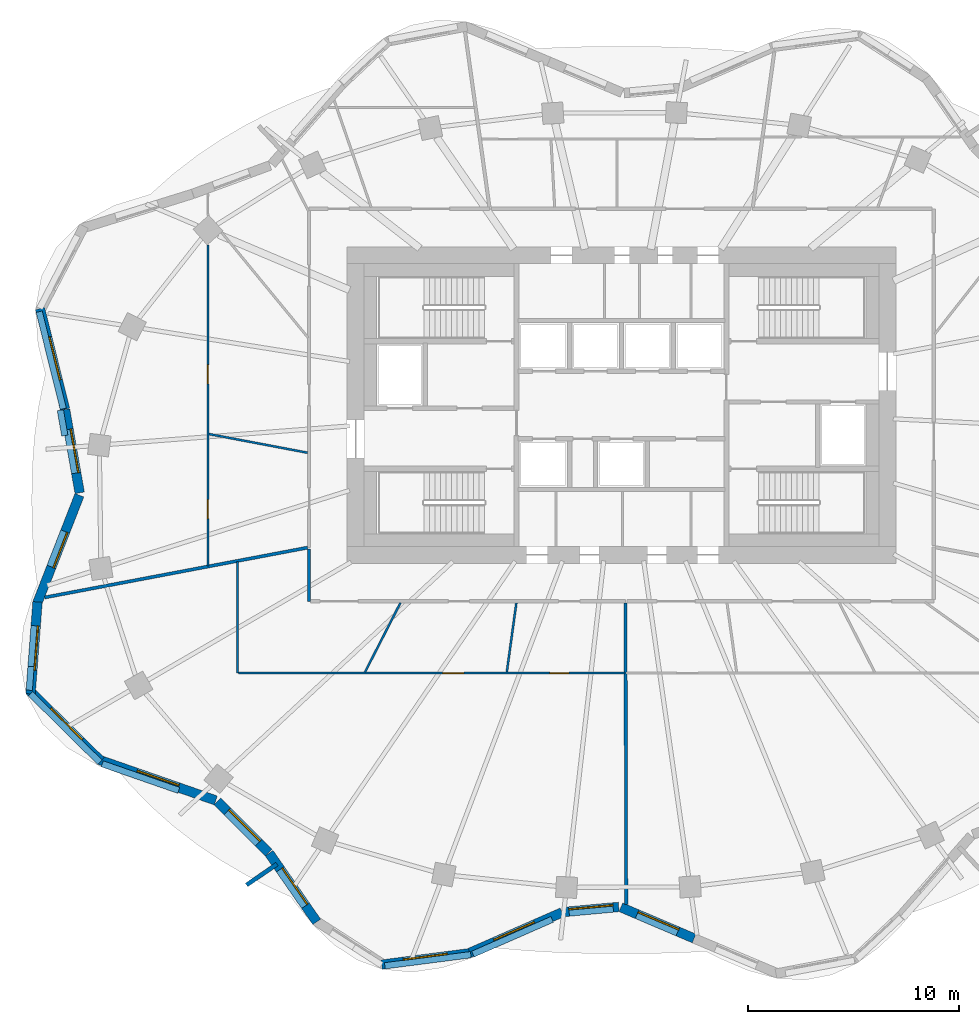
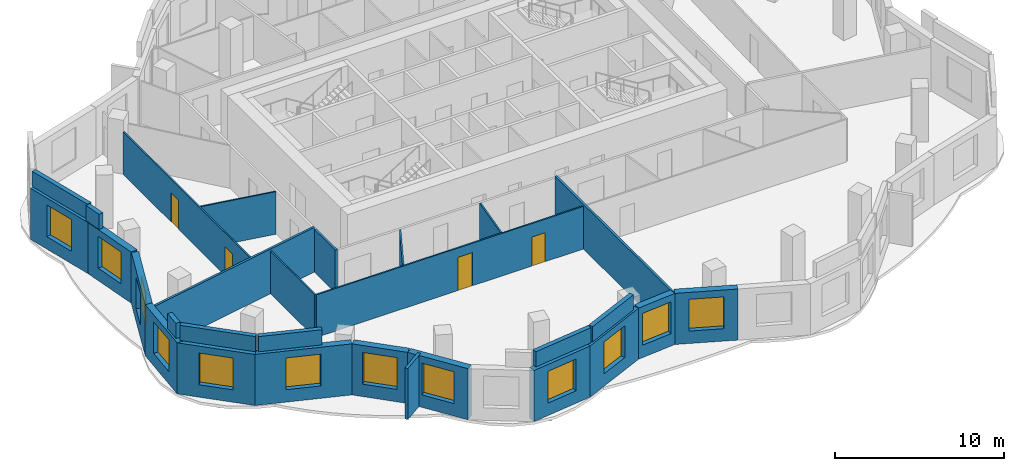
# One storey, part 3 of 9: 29 walls, 12 windows, 4 doors, 16 openings.
"""IFC4 building model written with IfcOpenShell, lengths in metres."""

import ifcopenshell
import ifcopenshell.guid

model = None  # the IFC model being written
_history = None  # IfcOwnerHistory: only IFC2X3 demands one
_inside = {}  # id of a spatial element -> (the spatial element, [elements in it])
_under = {}  # id of a project, library or spatial element -> (it, [spatial elements below it])
_declared = {}  # id of a project -> (the project, [libraries it declares])
_typed = {}  # id of a type object -> (the type object, [elements of that type])
_made_of = {}  # id of a material, layer set ... -> (it, [elements and type objects made of it])


def new_model(schema):
    """Start an empty IFC model of exactly this schema.

    Asked for "IFC4X3", IfcOpenShell would pick the latest addendum, in which some entities
    have other attributes; the version numbers below select the first issue.
    IFC2X3 requires an IfcOwnerHistory on every rooted entity: one is made here for all.
    """
    global model, _history
    if schema == "IFC4X3":
        model = ifcopenshell.file(schema_version=(4, 3, 0, 0))
    else:
        model = ifcopenshell.file(schema=schema)
    _inside.clear()
    _under.clear()
    _declared.clear()
    _typed.clear()
    _made_of.clear()
    _history = None
    if model.schema == "IFC2X3":
        org = make("IfcOrganization", Name="unknown")
        user = make(
            "IfcPersonAndOrganization",
            ThePerson=make("IfcPerson", FamilyName="unknown"),
            TheOrganization=org,
        )
        app = make(
            "IfcApplication",
            ApplicationDeveloper=org,
            Version="unknown",
            ApplicationFullName="unknown",
            ApplicationIdentifier="unknown",
        )
        _history = make(
            "IfcOwnerHistory",
            OwningUser=user,
            OwningApplication=app,
            ChangeAction="ADDED",
            CreationDate=0,
        )
    return model


def make(cls, **values):
    """One entity of the class cls with the attributes given. An attribute that is None is left unset."""
    return model.create_entity(
        cls, **{name: value for name, value in values.items() if value is not None}
    )


def rooted(cls, **values):
    """An entity with a GlobalId (a new one), such as an element, a storey or a relation."""
    return make(cls, GlobalId=ifcopenshell.guid.new(), OwnerHistory=_history, **values)


def si_unit(unit_type, name, prefix=None):
    """IfcSIUnit, for example si_unit("LENGTHUNIT", "METRE", prefix="MILLI")."""
    return make("IfcSIUnit", UnitType=unit_type, Prefix=prefix, Name=name)


def assignment(units):
    """IfcUnitAssignment: the units of a project."""
    return None if units is None else make("IfcUnitAssignment", Units=units)


def point(xyz):
    """IfcCartesianPoint."""
    return None if xyz is None else make("IfcCartesianPoint", Coordinates=xyz)


def direction(xyz):
    """IfcDirection."""
    return None if xyz is None else make("IfcDirection", DirectionRatios=xyz)


def frame(location, z_axis=None, x_axis=None):
    """IfcAxis2Placement3D, a coordinate frame: its origin and axes. An axis left out is left unset."""
    return make(
        "IfcAxis2Placement3D",
        Location=point(location),
        Axis=direction(z_axis),
        RefDirection=direction(x_axis),
    )


def frame_2d(location, x_axis=None):
    """IfcAxis2Placement2D, a coordinate frame in the plane: its origin and x axis."""
    return make(
        "IfcAxis2Placement2D", Location=point(location), RefDirection=direction(x_axis)
    )


def origin():
    """The frame at (0, 0, 0) with its axes left unset."""
    return frame((0.0, 0.0, 0.0))


def place(relative_to, where):
    """IfcLocalPlacement: puts the frame where relative to a parent placement (None: the world)."""
    return make(
        "IfcLocalPlacement", PlacementRelTo=relative_to, RelativePlacement=where
    )


def context(
    kind, dimensions, precision=None, world=None, true_north=None, identifier=None
):
    """IfcGeometricRepresentationContext, for example the 3D "Model" context."""
    return make(
        "IfcGeometricRepresentationContext",
        ContextIdentifier=identifier,
        ContextType=kind,
        CoordinateSpaceDimension=dimensions,
        Precision=precision,
        WorldCoordinateSystem=world,
        TrueNorth=true_north,
    )


def subcontext(parent, identifier, kind, view, scale=None):
    """IfcGeometricRepresentationSubContext, for example "Body" below "Model"."""
    return make(
        "IfcGeometricRepresentationSubContext",
        ContextIdentifier=identifier,
        ContextType=kind,
        ParentContext=parent,
        TargetScale=scale,
        TargetView=view,
    )


def project(units=None, contexts=None):
    """IfcProject with its units and contexts."""
    return rooted(
        "IfcProject",
        Name="project",
        RepresentationContexts=contexts,
        UnitsInContext=assignment(units),
    )


def spatial(cls, under=None, at=None, **own):
    """A site, building, storey or space (cls), placed at a placement, below another one or the project."""
    s = rooted(cls, ObjectPlacement=at, **own)
    if under is not None:
        _under.setdefault(under.id(), (under, []))[1].append(s)
    return s


def profile(cls, at=None, kind="AREA", **sizes):
    """A parametric profile (cls). Its sizes go by their IFC names, for example OverallWidth=200.0."""
    return make(cls, ProfileType=kind, Position=at, **sizes)


def rectangle(**sizes):
    """IfcRectangleProfileDef."""
    return profile("IfcRectangleProfileDef", **sizes)


def extrude(swept, where, along, depth):
    """IfcExtrudedAreaSolid: the profile swept, set in the frame where, extruded along a direction by depth."""
    return make(
        "IfcExtrudedAreaSolid",
        SweptArea=swept,
        Position=where,
        ExtrudedDirection=direction(along),
        Depth=depth,
    )


def shape(context_of_items, identifier, shape_type, items):
    """IfcShapeRepresentation: the items that make up one representation, for example the "Body"."""
    return make(
        "IfcShapeRepresentation",
        ContextOfItems=context_of_items,
        RepresentationIdentifier=identifier,
        RepresentationType=shape_type,
        Items=items,
    )


def material(Name=None, Category=None):
    """IfcMaterial."""
    return make("IfcMaterial", Name=Name, Category=Category)


def layer(
    of_material, thickness, ventilated=None, Name=None, Category=None, Priority=None
):
    """IfcMaterialLayer: one layer of a wall or slab, of a material (None: an air gap)."""
    return make(
        "IfcMaterialLayer",
        Material=of_material,
        LayerThickness=thickness,
        IsVentilated=ventilated,
        Name=Name,
        Category=Category,
        Priority=Priority,
    )


def layer_set(layers, Name=None):
    """IfcMaterialLayerSet."""
    return make("IfcMaterialLayerSet", MaterialLayers=layers, LayerSetName=Name)


def made_of(thing, what):
    """Note that an element or type object is made of a material, layer set ...; save() writes the relation."""
    if what is not None:
        _made_of.setdefault(what.id(), (what, []))[1].append(thing)
    return thing


def type_object(cls, material=None, **own):
    """A type object (cls), such as IfcWallType, which elements share."""
    return made_of(rooted(cls, **own), material)


def element(
    cls,
    number,
    at=None,
    inside=None,
    cuts=None,
    type_object=None,
    material=None,
    context=None,
    identifier="Body",
    shape_type=None,
    held_by="IfcProductDefinitionShape",
    body=None,
    shapes=None,
    **own,
):
    """One element of the class cls, such as IfcWall. Its Tag is "e" and its number.

    at: its placement. inside: the storey or other place that contains it. cuts: it is an
    opening in that element (IfcRelVoidsElement). A single representation is given by context,
    identifier, shape_type and body (its items); several are given by shapes. held_by: the class
    of the entity that holds the representations. save() writes the other relations.
    """
    e = rooted(cls, Tag="e%d" % number, ObjectPlacement=at, **own)
    if body is not None:
        shapes = [shape(context, identifier, shape_type, body)]
    if shapes is not None:
        e.Representation = make(held_by, Representations=shapes)
    if inside is not None:
        _inside.setdefault(inside.id(), (inside, []))[1].append(e)
    if cuts is not None:
        rooted(
            "IfcRelVoidsElement", RelatingBuildingElement=cuts, RelatedOpeningElement=e
        )
    if type_object is not None:
        _typed.setdefault(type_object.id(), (type_object, []))[1].append(e)
    return made_of(e, material)


def fill(opening, filler):
    """IfcRelFillsElement: the door or window that sits in an opening."""
    return rooted(
        "IfcRelFillsElement",
        RelatingOpeningElement=opening,
        RelatedBuildingElement=filler,
    )


def aggregate(whole, parts):
    """IfcRelAggregates: a whole, such as a stair, and the parts it consists of."""
    return rooted("IfcRelAggregates", RelatingObject=whole, RelatedObjects=parts)


def save(model, path):
    """Write the relations noted so far, then the file.

    IfcRelAggregates (storeys below a building ...), IfcRelContainedInSpatialStructure (elements
    in a storey), IfcRelDefinesByType, IfcRelAssociatesMaterial and IfcRelDeclares: one each for
    every whole, place, type object, material and project.
    """
    for whole, parts in _under.values():
        aggregate(whole, parts)
    for where, things in _inside.values():
        rooted(
            "IfcRelContainedInSpatialStructure",
            RelatedElements=things,
            RelatingStructure=where,
        )
    for kind, things in _typed.values():
        rooted("IfcRelDefinesByType", RelatedObjects=things, RelatingType=kind)
    for what, things in _made_of.values():
        rooted("IfcRelAssociatesMaterial", RelatedObjects=things, RelatingMaterial=what)
    for by, libraries in _declared.values():
        rooted("IfcRelDeclares", RelatingContext=by, RelatedDefinitions=libraries)
    model.write(path)


model = new_model("IFC4")

# Units and contexts
model_context = context("Model", 3, precision=1e-05, world=origin(), true_north=direction((0.0, 1.0)))
body_context = subcontext(model_context, "Body", "Model", "MODEL_VIEW")
ifc_project = project(units=[si_unit("LENGTHUNIT", "METRE"), si_unit("AREAUNIT", "SQUARE_METRE"), si_unit("VOLUMEUNIT", "CUBIC_METRE"), si_unit("PLANEANGLEUNIT", "RADIAN"), si_unit("MASSUNIT", "GRAM", prefix="KILO")], contexts=[model_context])

# Site, building, storey
site_placement = place(None, origin())
site = spatial("IfcSite", under=ifc_project, at=site_placement, CompositionType="ELEMENT")
building_placement = place(site_placement, origin())
building = spatial("IfcBuilding", under=site, at=building_placement, Name="Rubra Terraces Tower", CompositionType="ELEMENT")
storey_placement = place(building_placement, frame((0.0, 0.0, 221.39990234375)))
storey = spatial("IfcBuildingStorey", under=building, at=storey_placement, Name="L54", CompositionType="ELEMENT", Elevation=221.39990234375)

# Wall, opening, window
ifc_material_1 = material(Name="Brick masonry red-brown", Category="masonry")
ifc_layer_1 = layer(ifc_material_1, 0.449951171875)
ifc_layer_set_1 = layer_set([ifc_layer_1], Name="Brick masonry red-brown")
wall_type_1 = type_object("IfcWallType", Name="Brick facade wall 450", PredefinedType="SOLIDWALL", material=ifc_layer_set_1)
wall_1_placement = place(storey_placement, frame((-27.552001953125, 9.07177734375, 0.0), z_axis=(0.0, 0.0, 1.0), x_axis=(0.240629941406, -0.970616933347, 0.0)))
wall_1 = element("IfcWall", 1, at=wall_1_placement, inside=storey, type_object=wall_type_1, Name="Facade wall L54 bay 19", PredefinedType="SOLIDWALL", context=body_context, shape_type="SweptSolid", body=[
    extrude(rectangle(XDim=4.91455078125, YDim=0.449951171875, at=frame_2d((2.457275390625, 0.0))), origin(), (0.0, 0.0, 1.0), 3.7001953125),
])
opening_1_placement = place(wall_1_placement, frame((1.407470703125, 0.0, 0.89990234375)))
opening_1 = element("IfcOpeningElement", 2, at=opening_1_placement, cuts=wall_1, Name="Opening W1B", PredefinedType="OPENING", context=body_context, shape_type="SweptSolid", body=[
    extrude(rectangle(XDim=2.10009765625, YDim=2.300048828125, at=frame_2d((1.050048828125, 1.14990234375))), frame((0.0, 0.23486328125, 0.0), z_axis=(0.0, -1.0, 0.0), x_axis=(1.0, 0.0, 0.0)), (0.0, 0.0, 1.0), 0.469970703125),
])
ifc_material_2 = material(Name="Clear glass in aluminium frame", Category="aluminium")
window_type_1 = type_object("IfcWindowType", Name="Fixed deep-set window tall storey 2100 x 2300", PartitioningType="SINGLE_PANEL", PredefinedType="WINDOW", material=ifc_material_2)
window_1_placement = place(opening_1_placement, origin())
window_1 = element("IfcWindow", 3, at=window_1_placement, inside=storey, type_object=window_type_1, Name="Window L54 bay 19", OverallHeight=2.300048828125, OverallWidth=2.10009765625, PartitioningType="SINGLE_PANEL", PredefinedType="WINDOW", context=body_context, shape_type="SweptSolid", body=[
    extrude(rectangle(XDim=2.10009765625, YDim=2.300048828125, at=frame_2d((1.050048828125, 1.14990234375))), frame((0.0, 0.135009765625, 0.0), z_axis=(0.0, -1.0, 0.0), x_axis=(1.0, 0.0, 0.0)), (0.0, 0.0, 1.0), 0.06005859375),
])
fill(opening_1, window_1)

wall_2_placement = place(storey_placement, frame((-26.3662109375, 4.28466796875, 0.0), z_axis=(0.0, 0.0, 1.0), x_axis=(0.172902168926, -0.984939003178, 0.0)))
wall_2 = element("IfcWall", 4, at=wall_2_placement, inside=storey, type_object=wall_type_1, Name="Facade wall L54 bay 20", PredefinedType="SOLIDWALL", context=body_context, shape_type="SweptSolid", body=[
    extrude(rectangle(XDim=4.005859375, YDim=0.449951171875, at=frame_2d((2.0029296875, 0.0))), origin(), (0.0, 0.0, 1.0), 3.7001953125),
])
opening_2_placement = place(wall_2_placement, frame((0.952880859375, 0.0, 0.89990234375)))
opening_2 = element("IfcOpeningElement", 5, at=opening_2_placement, cuts=wall_2, Name="Opening W1B", PredefinedType="OPENING", context=body_context, shape_type="SweptSolid", body=[
    extrude(rectangle(XDim=2.10009765625, YDim=2.300048828125, at=frame_2d((1.050048828125, 1.14990234375))), frame((0.0, 0.23486328125, 0.0), z_axis=(0.0, -1.0, 0.0), x_axis=(1.0, 0.0, 0.0)), (0.0, 0.0, 1.0), 0.469970703125),
])
window_2_placement = place(opening_2_placement, origin())
window_2 = element("IfcWindow", 6, at=window_2_placement, inside=storey, type_object=window_type_1, Name="Window L54 bay 20", OverallHeight=2.300048828125, OverallWidth=2.10009765625, PartitioningType="SINGLE_PANEL", PredefinedType="WINDOW", context=body_context, shape_type="SweptSolid", body=[
    extrude(rectangle(XDim=2.10009765625, YDim=2.300048828125, at=frame_2d((1.050048828125, 1.14990234375))), frame((0.0, 0.135009765625, 0.0), z_axis=(0.0, -1.0, 0.0), x_axis=(1.0, 0.0, 0.0)), (0.0, 0.0, 1.0), 0.06005859375),
])
fill(opening_2, window_2)

wall_3_placement = place(storey_placement, frame((-25.68701171875, 0.226318359375, 0.0), z_axis=(0.0, 0.0, 1.0), x_axis=(-0.363500194409, -0.931594122279, 0.0)))
wall_3 = element("IfcWall", 7, at=wall_3_placement, inside=storey, type_object=wall_type_1, Name="Facade wall L54 bay 21", PredefinedType="SOLIDWALL", context=body_context, shape_type="SweptSolid", body=[
    extrude(rectangle(XDim=5.498779296875, YDim=0.449951171875, at=frame_2d((2.74951171875, 0.0))), origin(), (0.0, 0.0, 1.0), 3.7001953125),
])
opening_3_placement = place(wall_3_placement, frame((1.849365234375, 0.0, 0.89990234375)))
opening_3 = element("IfcOpeningElement", 8, at=opening_3_placement, cuts=wall_3, Name="Opening W6B", PredefinedType="OPENING", context=body_context, shape_type="SweptSolid", body=[
    extrude(rectangle(XDim=1.800048828125, YDim=2.300048828125, at=frame_2d((0.89990234375, 1.14990234375))), frame((0.0, 0.23486328125, 0.0), z_axis=(0.0, -1.0, 0.0), x_axis=(1.0, 0.0, 0.0)), (0.0, 0.0, 1.0), 0.469970703125),
])
window_type_2 = type_object("IfcWindowType", Name="Fixed deep-set window at wind fin tall storey 1800 x 2300", PartitioningType="SINGLE_PANEL", PredefinedType="WINDOW", material=ifc_material_2)
window_3_placement = place(opening_3_placement, origin())
window_3 = element("IfcWindow", 9, at=window_3_placement, inside=storey, type_object=window_type_2, Name="Window L54 bay 21", OverallHeight=2.300048828125, OverallWidth=1.800048828125, PartitioningType="SINGLE_PANEL", PredefinedType="WINDOW", context=body_context, shape_type="SweptSolid", body=[
    extrude(rectangle(XDim=1.800048828125, YDim=2.300048828125, at=frame_2d((0.89990234375, 1.14990234375))), frame((0.0, 0.135009765625, 0.0), z_axis=(0.0, -1.0, 0.0), x_axis=(1.0, 0.0, 0.0)), (0.0, 0.0, 1.0), 0.06005859375),
])
fill(opening_3, window_3)

wall_4_placement = place(storey_placement, frame((-27.671142578125, -4.831298828125, 0.0), z_axis=(0.0, 0.0, 1.0), x_axis=(-0.075658122047, -0.997133816781, 0.0)))
wall_4 = element("IfcWall", 10, at=wall_4_placement, inside=storey, type_object=wall_type_1, Name="Facade wall L54 bay 22", PredefinedType="SOLIDWALL", context=body_context, shape_type="SweptSolid", body=[
    extrude(rectangle(XDim=4.369140625, YDim=0.449951171875, at=frame_2d((2.1845703125, 0.0))), origin(), (0.0, 0.0, 1.0), 3.7001953125),
])
opening_4_placement = place(wall_4_placement, frame((1.134521484375, 0.0, 0.89990234375)))
opening_4 = element("IfcOpeningElement", 11, at=opening_4_placement, cuts=wall_4, Name="Opening W1B", PredefinedType="OPENING", context=body_context, shape_type="SweptSolid", body=[
    extrude(rectangle(XDim=2.10009765625, YDim=2.300048828125, at=frame_2d((1.050048828125, 1.14990234375))), frame((0.0, 0.23486328125, 0.0), z_axis=(0.0, -1.0, 0.0), x_axis=(1.0, 0.0, 0.0)), (0.0, 0.0, 1.0), 0.469970703125),
])
window_4_placement = place(opening_4_placement, origin())
window_4 = element("IfcWindow", 12, at=window_4_placement, inside=storey, type_object=window_type_1, Name="Window L54 bay 22", OverallHeight=2.300048828125, OverallWidth=2.10009765625, PartitioningType="SINGLE_PANEL", PredefinedType="WINDOW", context=body_context, shape_type="SweptSolid", body=[
    extrude(rectangle(XDim=2.10009765625, YDim=2.300048828125, at=frame_2d((1.050048828125, 1.14990234375))), frame((0.0, 0.135009765625, 0.0), z_axis=(0.0, -1.0, 0.0), x_axis=(1.0, 0.0, 0.0)), (0.0, 0.0, 1.0), 0.06005859375),
])
fill(opening_4, window_4)

wall_5_placement = place(storey_placement, frame((-28.06787109375, -9.010986328125, 0.0), z_axis=(0.0, 0.0, 1.0), x_axis=(0.711293453435, -0.702895172199, 0.0)))
wall_5 = element("IfcWall", 13, at=wall_5_placement, inside=storey, type_object=wall_type_1, Name="Facade wall L54 bay 23", PredefinedType="SOLIDWALL", context=body_context, shape_type="SweptSolid", body=[
    extrude(rectangle(XDim=4.767578125, YDim=0.449951171875, at=frame_2d((2.3837890625, 0.0))), origin(), (0.0, 0.0, 1.0), 3.7001953125),
])
opening_5_placement = place(wall_5_placement, frame((1.333740234375, 0.0, 0.89990234375)))
opening_5 = element("IfcOpeningElement", 14, at=opening_5_placement, cuts=wall_5, Name="Opening W1B", PredefinedType="OPENING", context=body_context, shape_type="SweptSolid", body=[
    extrude(rectangle(XDim=2.10009765625, YDim=2.300048828125, at=frame_2d((1.050048828125, 1.14990234375))), frame((0.0, 0.23486328125, 0.0), z_axis=(0.0, -1.0, 0.0), x_axis=(1.0, 0.0, 0.0)), (0.0, 0.0, 1.0), 0.469970703125),
])
window_5_placement = place(opening_5_placement, origin())
window_5 = element("IfcWindow", 15, at=window_5_placement, inside=storey, type_object=window_type_1, Name="Window L54 bay 23", OverallHeight=2.300048828125, OverallWidth=2.10009765625, PartitioningType="SINGLE_PANEL", PredefinedType="WINDOW", context=body_context, shape_type="SweptSolid", body=[
    extrude(rectangle(XDim=2.10009765625, YDim=2.300048828125, at=frame_2d((1.050048828125, 1.14990234375))), frame((0.0, 0.135009765625, 0.0), z_axis=(0.0, -1.0, 0.0), x_axis=(1.0, 0.0, 0.0)), (0.0, 0.0, 1.0), 0.06005859375),
])
fill(opening_5, window_5)

wall_6_placement = place(storey_placement, frame((-24.760986328125, -12.309814453125, 0.0), z_axis=(0.0, 0.0, 1.0), x_axis=(0.944397305248, -0.328806523414, 0.0)))
wall_6 = element("IfcWall", 16, at=wall_6_placement, inside=storey, type_object=wall_type_1, Name="Facade wall L54 bay 24", PredefinedType="SOLIDWALL", context=body_context, shape_type="SweptSolid", body=[
    extrude(rectangle(XDim=5.862060546875, YDim=0.449951171875, at=frame_2d((2.93115234375, 0.0))), origin(), (0.0, 0.0, 1.0), 3.7001953125),
])
opening_6_placement = place(wall_6_placement, frame((1.881103515625, 0.0, 0.89990234375)))
opening_6 = element("IfcOpeningElement", 17, at=opening_6_placement, cuts=wall_6, Name="Opening W1B", PredefinedType="OPENING", context=body_context, shape_type="SweptSolid", body=[
    extrude(rectangle(XDim=2.10009765625, YDim=2.300048828125, at=frame_2d((1.050048828125, 1.14990234375))), frame((0.0, 0.23486328125, 0.0), z_axis=(0.0, -1.0, 0.0), x_axis=(1.0, 0.0, 0.0)), (0.0, 0.0, 1.0), 0.469970703125),
])
window_6_placement = place(opening_6_placement, origin())
window_6 = element("IfcWindow", 18, at=window_6_placement, inside=storey, type_object=window_type_1, Name="Window L54 bay 24", OverallHeight=2.300048828125, OverallWidth=2.10009765625, PartitioningType="SINGLE_PANEL", PredefinedType="WINDOW", context=body_context, shape_type="SweptSolid", body=[
    extrude(rectangle(XDim=2.10009765625, YDim=2.300048828125, at=frame_2d((1.050048828125, 1.14990234375))), frame((0.0, 0.135009765625, 0.0), z_axis=(0.0, -1.0, 0.0), x_axis=(1.0, 0.0, 0.0)), (0.0, 0.0, 1.0), 0.06005859375),
])
fill(opening_6, window_6)

wall_7_placement = place(storey_placement, frame((-19.145263671875, -14.285400390625, 0.0), z_axis=(0.0, 0.0, 1.0), x_axis=(0.707427521052, -0.706785895769, 0.0)))
wall_7 = element("IfcWall", 19, at=wall_7_placement, inside=storey, type_object=wall_type_1, Name="Facade wall L54 bay 25", PredefinedType="SOLIDWALL", context=body_context, shape_type="SweptSolid", body=[
    extrude(rectangle(XDim=3.424560546875, YDim=0.449951171875, at=frame_2d((1.71240234375, 0.0))), origin(), (0.0, 0.0, 1.0), 3.7001953125),
])
opening_7_placement = place(wall_7_placement, frame((0.662353515625, 0.0, 0.89990234375)))
opening_7 = element("IfcOpeningElement", 20, at=opening_7_placement, cuts=wall_7, Name="Opening W1B", PredefinedType="OPENING", context=body_context, shape_type="SweptSolid", body=[
    extrude(rectangle(XDim=2.10009765625, YDim=2.300048828125, at=frame_2d((1.050048828125, 1.14990234375))), frame((0.0, 0.23486328125, 0.0), z_axis=(0.0, -1.0, 0.0), x_axis=(1.0, 0.0, 0.0)), (0.0, 0.0, 1.0), 0.469970703125),
])
window_7_placement = place(opening_7_placement, origin())
window_7 = element("IfcWindow", 21, at=window_7_placement, inside=storey, type_object=window_type_1, Name="Window L54 bay 25", OverallHeight=2.300048828125, OverallWidth=2.10009765625, PartitioningType="SINGLE_PANEL", PredefinedType="WINDOW", context=body_context, shape_type="SweptSolid", body=[
    extrude(rectangle(XDim=2.10009765625, YDim=2.300048828125, at=frame_2d((1.050048828125, 1.14990234375))), frame((0.0, 0.135009765625, 0.0), z_axis=(0.0, -1.0, 0.0), x_axis=(1.0, 0.0, 0.0)), (0.0, 0.0, 1.0), 0.06005859375),
])
fill(opening_7, window_7)

wall_8_placement = place(storey_placement, frame((-16.695068359375, -16.73681640625, 0.0), z_axis=(0.0, 0.0, 1.0), x_axis=(0.569652445465, -0.821885692402, 0.0)))
wall_8 = element("IfcWall", 22, at=wall_8_placement, inside=storey, type_object=wall_type_1, Name="Facade wall L54 bay 26", PredefinedType="SOLIDWALL", context=body_context, shape_type="SweptSolid", body=[
    extrude(rectangle(XDim=3.958740234375, YDim=0.449951171875, at=frame_2d((1.9794921875, 0.0))), origin(), (0.0, 0.0, 1.0), 3.7001953125),
])
opening_8_placement = place(wall_8_placement, frame((0.929443359375, 0.0, 0.89990234375)))
opening_8 = element("IfcOpeningElement", 23, at=opening_8_placement, cuts=wall_8, Name="Opening W1B", PredefinedType="OPENING", context=body_context, shape_type="SweptSolid", body=[
    extrude(rectangle(XDim=2.10009765625, YDim=2.300048828125, at=frame_2d((1.050048828125, 1.14990234375))), frame((0.0, 0.23486328125, 0.0), z_axis=(0.0, -1.0, 0.0), x_axis=(1.0, 0.0, 0.0)), (0.0, 0.0, 1.0), 0.469970703125),
])
window_8_placement = place(opening_8_placement, origin())
window_8 = element("IfcWindow", 24, at=window_8_placement, inside=storey, type_object=window_type_1, Name="Window L54 bay 26", OverallHeight=2.300048828125, OverallWidth=2.10009765625, PartitioningType="SINGLE_PANEL", PredefinedType="WINDOW", context=body_context, shape_type="SweptSolid", body=[
    extrude(rectangle(XDim=2.10009765625, YDim=2.300048828125, at=frame_2d((1.050048828125, 1.14990234375))), frame((0.0, 0.135009765625, 0.0), z_axis=(0.0, -1.0, 0.0), x_axis=(1.0, 0.0, 0.0)), (0.0, 0.0, 1.0), 0.06005859375),
])
fill(opening_8, window_8)

wall_9_placement = place(storey_placement, frame((-11.36181640625, -22.017822265625, 0.0), z_axis=(0.0, 0.0, 1.0), x_axis=(0.991724958022, 0.128380713645, 0.0)))
wall_9 = element("IfcWall", 25, at=wall_9_placement, inside=storey, type_object=wall_type_1, Name="Facade wall L54 bay 28", PredefinedType="SOLIDWALL", context=body_context, shape_type="SweptSolid", body=[
    extrude(rectangle(XDim=4.181884765625, YDim=0.449951171875, at=frame_2d((2.0908203125, 0.0))), origin(), (0.0, 0.0, 1.0), 3.7001953125),
])
opening_9_placement = place(wall_9_placement, frame((1.041015625, 0.0, 0.89990234375)))
opening_9 = element("IfcOpeningElement", 26, at=opening_9_placement, cuts=wall_9, Name="Opening W1B", PredefinedType="OPENING", context=body_context, shape_type="SweptSolid", body=[
    extrude(rectangle(XDim=2.10009765625, YDim=2.300048828125, at=frame_2d((1.050048828125, 1.14990234375))), frame((0.0, 0.23486328125, 0.0), z_axis=(0.0, -1.0, 0.0), x_axis=(1.0, 0.0, 0.0)), (0.0, 0.0, 1.0), 0.469970703125),
])
window_9_placement = place(opening_9_placement, origin())
window_9 = element("IfcWindow", 27, at=window_9_placement, inside=storey, type_object=window_type_1, Name="Window L54 bay 28", OverallHeight=2.300048828125, OverallWidth=2.10009765625, PartitioningType="SINGLE_PANEL", PredefinedType="WINDOW", context=body_context, shape_type="SweptSolid", body=[
    extrude(rectangle(XDim=2.10009765625, YDim=2.300048828125, at=frame_2d((1.050048828125, 1.14990234375))), frame((0.0, 0.135009765625, 0.0), z_axis=(0.0, -1.0, 0.0), x_axis=(1.0, 0.0, 0.0)), (0.0, 0.0, 1.0), 0.06005859375),
])
fill(opening_9, window_9)

wall_10_placement = place(storey_placement, frame((-7.27587890625, -21.498046875, 0.0), z_axis=(0.0, 0.0, 1.0), x_axis=(0.915872941312, 0.401468249519, 0.0)))
wall_10 = element("IfcWall", 28, at=wall_10_placement, inside=storey, type_object=wall_type_1, Name="Facade wall L54 bay 29", PredefinedType="SOLIDWALL", context=body_context, shape_type="SweptSolid", body=[
    extrude(rectangle(XDim=4.870361328125, YDim=0.449951171875, at=frame_2d((2.43505859375, 0.0))), origin(), (0.0, 0.0, 1.0), 3.7001953125),
])
opening_10_placement = place(wall_10_placement, frame((1.38525390625, 0.0, 0.89990234375)))
opening_10 = element("IfcOpeningElement", 29, at=opening_10_placement, cuts=wall_10, Name="Opening W1B", PredefinedType="OPENING", context=body_context, shape_type="SweptSolid", body=[
    extrude(rectangle(XDim=2.10009765625, YDim=2.300048828125, at=frame_2d((1.050048828125, 1.14990234375))), frame((0.0, 0.23486328125, 0.0), z_axis=(0.0, -1.0, 0.0), x_axis=(1.0, 0.0, 0.0)), (0.0, 0.0, 1.0), 0.469970703125),
])
window_10_placement = place(opening_10_placement, origin())
window_10 = element("IfcWindow", 30, at=window_10_placement, inside=storey, type_object=window_type_1, Name="Window L54 bay 29", OverallHeight=2.300048828125, OverallWidth=2.10009765625, PartitioningType="SINGLE_PANEL", PredefinedType="WINDOW", context=body_context, shape_type="SweptSolid", body=[
    extrude(rectangle(XDim=2.10009765625, YDim=2.300048828125, at=frame_2d((1.050048828125, 1.14990234375))), frame((0.0, 0.135009765625, 0.0), z_axis=(0.0, -1.0, 0.0), x_axis=(1.0, 0.0, 0.0)), (0.0, 0.0, 1.0), 0.06005859375),
])
fill(opening_10, window_10)

wall_11_placement = place(storey_placement, frame((-2.745361328125, -19.52490234375, 0.0), z_axis=(0.0, 0.0, 1.0), x_axis=(0.995768774275, 0.091894222771, 0.0)))
wall_11 = element("IfcWall", 31, at=wall_11_placement, inside=storey, type_object=wall_type_1, Name="Facade wall L54 bay 30", PredefinedType="SOLIDWALL", context=body_context, shape_type="SweptSolid", body=[
    extrude(rectangle(XDim=2.624755859375, YDim=0.449951171875, at=frame_2d((1.3125, 0.0))), origin(), (0.0, 0.0, 1.0), 3.7001953125),
])
opening_11_placement = place(wall_11_placement, frame((0.262451171875, 0.0, 0.89990234375)))
opening_11 = element("IfcOpeningElement", 32, at=opening_11_placement, cuts=wall_11, Name="Opening W1B", PredefinedType="OPENING", context=body_context, shape_type="SweptSolid", body=[
    extrude(rectangle(XDim=2.10009765625, YDim=2.300048828125, at=frame_2d((1.050048828125, 1.14990234375))), frame((0.0, 0.23486328125, 0.0), z_axis=(0.0, -1.0, 0.0), x_axis=(1.0, 0.0, 0.0)), (0.0, 0.0, 1.0), 0.469970703125),
])
window_11_placement = place(opening_11_placement, origin())
window_11 = element("IfcWindow", 33, at=window_11_placement, inside=storey, type_object=window_type_1, Name="Window L54 bay 30", OverallHeight=2.300048828125, OverallWidth=2.10009765625, PartitioningType="SINGLE_PANEL", PredefinedType="WINDOW", context=body_context, shape_type="SweptSolid", body=[
    extrude(rectangle(XDim=2.10009765625, YDim=2.300048828125, at=frame_2d((1.050048828125, 1.14990234375))), frame((0.0, 0.135009765625, 0.0), z_axis=(0.0, -1.0, 0.0), x_axis=(1.0, 0.0, 0.0)), (0.0, 0.0, 1.0), 0.06005859375),
])
fill(opening_11, window_11)

wall_12_placement = place(storey_placement, frame((-0.0263671875, -19.29931640625, 0.0), z_axis=(0.0, 0.0, 1.0), x_axis=(0.920040408927, -0.391823488245, 0.0)))
wall_12 = element("IfcWall", 34, at=wall_12_placement, inside=storey, type_object=wall_type_1, Name="Facade wall L54 bay 31", PredefinedType="SOLIDWALL", context=body_context, shape_type="SweptSolid", body=[
    extrude(rectangle(XDim=3.769775390625, YDim=0.449951171875, at=frame_2d((1.884765625, 0.0))), origin(), (0.0, 0.0, 1.0), 3.7001953125),
])
opening_12_placement = place(wall_12_placement, frame((0.8349609375, 0.0, 0.89990234375)))
opening_12 = element("IfcOpeningElement", 35, at=opening_12_placement, cuts=wall_12, Name="Opening W1B", PredefinedType="OPENING", context=body_context, shape_type="SweptSolid", body=[
    extrude(rectangle(XDim=2.10009765625, YDim=2.300048828125, at=frame_2d((1.050048828125, 1.14990234375))), frame((0.0, 0.23486328125, 0.0), z_axis=(0.0, -1.0, 0.0), x_axis=(1.0, 0.0, 0.0)), (0.0, 0.0, 1.0), 0.469970703125),
])
window_12_placement = place(opening_12_placement, origin())
window_12 = element("IfcWindow", 36, at=window_12_placement, inside=storey, type_object=window_type_1, Name="Window L54 bay 31", OverallHeight=2.300048828125, OverallWidth=2.10009765625, PartitioningType="SINGLE_PANEL", PredefinedType="WINDOW", context=body_context, shape_type="SweptSolid", body=[
    extrude(rectangle(XDim=2.10009765625, YDim=2.300048828125, at=frame_2d((1.050048828125, 1.14990234375))), frame((0.0, 0.135009765625, 0.0), z_axis=(0.0, -1.0, 0.0), x_axis=(1.0, 0.0, 0.0)), (0.0, 0.0, 1.0), 0.06005859375),
])
fill(opening_12, window_12)

# Walls
ifc_layer_2 = layer(ifc_material_1, 0.300048828125)
ifc_layer_set_2 = layer_set([ifc_layer_2], Name="Brick masonry red-brown")
wall_type_2 = type_object("IfcWallType", Name="Brick parapet 300", PredefinedType="PARAPET", material=ifc_layer_set_2)
wall_13_placement = place(storey_placement, frame((-27.591796875, 8.9208984375, 3.900146484375), z_axis=(0.0, 0.0, 1.0), x_axis=(0.240669381496, -0.970607154729, 0.0)))
element("IfcWall", 37, at=wall_13_placement, inside=storey, type_object=wall_type_2, Name="Parapet L54 bay 19", PredefinedType="PARAPET", context=body_context, shape_type="SweptSolid", body=[
    extrude(rectangle(XDim=4.741455078125, YDim=0.300048828125, at=frame_2d((2.37060546875, 0.0))), origin(), (0.0, 0.0, 1.0), 1.099853515625),
])
wall_14_placement = place(storey_placement, frame((-26.589111328125, 4.253662109375, 3.900146484375), z_axis=(0.0, 0.0, 1.0), x_axis=(0.172857566704, -0.984946831881, 0.0)))
element("IfcWall", 38, at=wall_14_placement, inside=storey, type_object=wall_type_2, Name="Parapet L54 bay 20", PredefinedType="PARAPET", context=body_context, shape_type="SweptSolid", body=[
    extrude(rectangle(XDim=1.216064453125, YDim=0.300048828125, at=frame_2d((0.60791015625, 0.0))), origin(), (0.0, 0.0, 1.0), 1.099853515625),
])
wall_15_placement = place(storey_placement, frame((-27.978515625, -7.892333984375, 3.900146484375), z_axis=(0.0, 0.0, 1.0), x_axis=(-0.075750382553, -0.997126812167, 0.0)))
element("IfcWall", 39, at=wall_15_placement, inside=storey, type_object=wall_type_2, Name="Parapet L54 bay 22", PredefinedType="PARAPET", context=body_context, shape_type="SweptSolid", body=[
    extrude(rectangle(XDim=1.124755859375, YDim=0.300048828125, at=frame_2d((0.5625, 0.0))), origin(), (0.0, 0.0, 1.0), 1.099853515625),
])
wall_16_placement = place(storey_placement, frame((-28.00048828125, -9.18310546875, 3.900146484375), z_axis=(0.0, 0.0, 1.0), x_axis=(0.711291435321, -0.702897214419, 0.0)))
element("IfcWall", 40, at=wall_16_placement, inside=storey, type_object=wall_type_2, Name="Parapet L54 bay 23", PredefinedType="PARAPET", context=body_context, shape_type="SweptSolid", body=[
    extrude(rectangle(XDim=4.62451171875, YDim=0.300048828125, at=frame_2d((2.312255859375, 0.0))), origin(), (0.0, 0.0, 1.0), 1.099853515625),
])
wall_17_placement = place(storey_placement, frame((-24.605224609375, -12.49951171875, 3.900146484375), z_axis=(0.0, 0.0, 1.0), x_axis=(0.944373295981, -0.328875474668, 0.0)))
element("IfcWall", 41, at=wall_17_placement, inside=storey, type_object=wall_type_2, Name="Parapet L54 bay 24", PredefinedType="PARAPET", context=body_context, shape_type="SweptSolid", body=[
    extrude(rectangle(XDim=3.84228515625, YDim=0.300048828125, at=frame_2d((1.921142578125, 0.0))), origin(), (0.0, 0.0, 1.0), 1.099853515625),
])
wall_18_placement = place(storey_placement, frame((-11.2138671875, -22.07421875, 3.900146484375), z_axis=(0.0, 0.0, 1.0), x_axis=(0.991727449614, 0.128361464939, 0.0)))
element("IfcWall", 42, at=wall_18_placement, inside=storey, type_object=wall_type_2, Name="Parapet L54 bay 28", PredefinedType="PARAPET", context=body_context, shape_type="SweptSolid", body=[
    extrude(rectangle(XDim=4.110107421875, YDim=0.300048828125, at=frame_2d((2.05517578125, 0.0))), origin(), (0.0, 0.0, 1.0), 1.099853515625),
])
wall_19_placement = place(storey_placement, frame((-7.039306640625, -21.519287109375, 3.900146484375), z_axis=(0.0, 0.0, 1.0), x_axis=(0.915890739732, 0.401427643384, 0.0)))
element("IfcWall", 43, at=wall_19_placement, inside=storey, type_object=wall_type_2, Name="Parapet L54 bay 29", PredefinedType="PARAPET", context=body_context, shape_type="SweptSolid", body=[
    extrude(rectangle(XDim=4.1015625, YDim=0.300048828125, at=frame_2d((2.05078125, 0.0))), origin(), (0.0, 0.0, 1.0), 1.099853515625),
])
ifc_layer_3 = layer(ifc_material_1, 0.199951171875)
ifc_layer_set_3 = layer_set([ifc_layer_3], Name="Brick masonry red-brown")
wall_type_3 = type_object("IfcWallType", Name="Brick wind fin 200", PredefinedType="SOLIDWALL", material=ifc_layer_set_3)
wall_20_placement = place(storey_placement, frame((-16.322021484375, -17.2529296875, 0.0), z_axis=(0.0, 0.0, 1.0), x_axis=(-0.824440606412, -0.565948483962, 0.0)))
element("IfcWall", 44, at=wall_20_placement, inside=storey, type_object=wall_type_3, Name="Wind fin L54 16", PredefinedType="SOLIDWALL", context=body_context, shape_type="SweptSolid", body=[
    extrude(rectangle(XDim=1.75, YDim=0.199951171875, at=frame_2d((0.875, 0.0))), origin(), (0.0, 0.0, 1.0), 3.7001953125),
])
ifc_material_3 = material(Name="Plasterboard on steel stud, mineral wool infill", Category="steel")
ifc_layer_4 = layer(ifc_material_3, 0.14990234375)
ifc_layer_set_4 = layer_set([ifc_layer_4], Name="Plasterboard on steel stud, mineral wool infill")
wall_type_4 = type_object("IfcWallType", Name="CORRIDOR PARTITION 150", PredefinedType="PARTITIONING", material=ifc_layer_set_4)
wall_21_placement = place(storey_placement, frame((-14.800048828125, -2.318115234375, 0.0), z_axis=(0.0, 0.0, 1.0), x_axis=(0.0, -1.0, 0.0)))
element("IfcWall", 45, at=wall_21_placement, inside=storey, type_object=wall_type_4, Name="PARTITION", PredefinedType="PARTITIONING", context=body_context, shape_type="SweptSolid", body=[
    extrude(rectangle(XDim=2.48193359375, YDim=0.14990234375, at=frame_2d((1.240966796875, 0.0))), origin(), (0.0, 0.0, 1.0), 3.083984375),
])

# Wall, openings, doors
ifc_material_4 = material(Name="Plasterboard on steel stud", Category="steel")
ifc_layer_5 = layer(ifc_material_4, 0.10009765625)
ifc_layer_set_5 = layer_set([ifc_layer_5], Name="Plasterboard on steel stud")
wall_type_5 = type_object("IfcWallType", Name="ROOM PARTITION 100", PredefinedType="PARTITIONING", material=ifc_layer_set_5)
wall_22_placement = place(storey_placement, frame((-19.60009765625, -3.132568359375, 0.0), z_axis=(0.0, 0.0, 1.0), x_axis=(0.0, 1.0, 0.0)))
wall_22 = element("IfcWall", 46, at=wall_22_placement, inside=storey, type_object=wall_type_5, Name="PARTITION", PredefinedType="PARTITIONING", context=body_context, shape_type="SweptSolid", body=[
    extrude(rectangle(XDim=15.21728515625, YDim=0.10009765625, at=frame_2d((7.608642578125, 0.0))), origin(), (0.0, 0.0, 1.0), 3.083984375),
])
opening_13_placement = place(wall_22_placement, frame((8.633056640625, 0.0, 0.0)))
opening_13 = element("IfcOpeningElement", 47, at=opening_13_placement, cuts=wall_22, Name="Opening 54-104", PredefinedType="OPENING", context=body_context, shape_type="SweptSolid", body=[
    extrude(rectangle(XDim=0.89990234375, YDim=2.10009765625, at=frame_2d((0.449951171875, 1.050048828125))), frame((0.0, 0.06005859375, 0.0), z_axis=(0.0, -1.0, 0.0), x_axis=(1.0, 0.0, 0.0)), (0.0, 0.0, 1.0), 0.1201171875),
])
opening_14_placement = place(wall_22_placement, frame((2.2529296875, 0.0, 0.0)))
opening_14 = element("IfcOpeningElement", 48, at=opening_14_placement, cuts=wall_22, Name="Opening 54-105", PredefinedType="OPENING", context=body_context, shape_type="SweptSolid", body=[
    extrude(rectangle(XDim=0.89990234375, YDim=2.10009765625, at=frame_2d((0.449951171875, 1.050048828125))), frame((0.0, 0.06005859375, 0.0), z_axis=(0.0, -1.0, 0.0), x_axis=(1.0, 0.0, 0.0)), (0.0, 0.0, 1.0), 0.1201171875),
])
ifc_material_5 = material(Name="Painted timber door leaf", Category="wood")
door_type_1 = type_object("IfcDoorType", Name="ROOM DOOR 900 X 2100", OperationType="SINGLE_SWING_LEFT", PredefinedType="DOOR", material=ifc_material_5)
door_1_placement = place(opening_13_placement, origin())
door_1 = element("IfcDoor", 49, at=door_1_placement, inside=storey, type_object=door_type_1, Name="DOOR 54-104", OperationType="SINGLE_SWING_LEFT", OverallHeight=2.10009765625, OverallWidth=0.89990234375, PredefinedType="DOOR", context=body_context, shape_type="SweptSolid", body=[
    extrude(rectangle(XDim=0.89990234375, YDim=2.10009765625, at=frame_2d((0.449951171875, 1.050048828125))), frame((0.0, 0.02490234375, 0.0), z_axis=(0.0, -1.0, 0.0), x_axis=(1.0, 0.0, 0.0)), (0.0, 0.0, 1.0), 0.050048828125),
])
fill(opening_13, door_1)
door_2_placement = place(opening_14_placement, origin())
door_2 = element("IfcDoor", 50, at=door_2_placement, inside=storey, type_object=door_type_1, Name="DOOR 54-105", OperationType="SINGLE_SWING_LEFT", OverallHeight=2.10009765625, OverallWidth=0.89990234375, PredefinedType="DOOR", context=body_context, shape_type="SweptSolid", body=[
    extrude(rectangle(XDim=0.89990234375, YDim=2.10009765625, at=frame_2d((0.449951171875, 1.050048828125))), frame((0.0, 0.02490234375, 0.0), z_axis=(0.0, -1.0, 0.0), x_axis=(1.0, 0.0, 0.0)), (0.0, 0.0, 1.0), 0.050048828125),
])
fill(opening_14, door_2)

# Walls
wall_23_placement = place(storey_placement, frame((-14.873779296875, 2.2392578125, 0.0), z_axis=(0.0, 0.0, 1.0), x_axis=(-0.982526163868, 0.186124520994, 0.0)))
element("IfcWall", 51, at=wall_23_placement, inside=storey, type_object=wall_type_5, Name="PARTITION", PredefinedType="PARTITIONING", context=body_context, shape_type="SweptSolid", body=[
    extrude(rectangle(XDim=4.76025390625, YDim=0.10009765625, at=frame_2d((2.380126953125, 0.0))), origin(), (0.0, 0.0, 1.0), 3.083984375),
])
wall_24_placement = place(storey_placement, frame((-18.199951171875, -8.199951171875, 0.0), z_axis=(0.0, 0.0, 1.0), x_axis=(0.0, 1.0, 0.0)))
element("IfcWall", 52, at=wall_24_placement, inside=storey, type_object=wall_type_5, Name="PARTITION", PredefinedType="PARTITIONING", context=body_context, shape_type="SweptSolid", body=[
    extrude(rectangle(XDim=5.2919921875, YDim=0.10009765625, at=frame_2d((2.64599609375, 0.0))), origin(), (0.0, 0.0, 1.0), 3.083984375),
])

# Wall, openings, doors
wall_25_placement = place(storey_placement, frame((0.17822265625, -8.199951171875, 0.0), z_axis=(0.0, 0.0, 1.0), x_axis=(-1.0, 0.0, 0.0)))
wall_25 = element("IfcWall", 53, at=wall_25_placement, inside=storey, type_object=wall_type_5, Name="PARTITION", PredefinedType="PARTITIONING", context=body_context, shape_type="SweptSolid", body=[
    extrude(rectangle(XDim=18.328125, YDim=0.10009765625, at=frame_2d((9.1640625, 0.0))), origin(), (0.0, 0.0, 1.0), 3.083984375),
])
opening_15_placement = place(wall_25_placement, frame((2.66796875, 0.0, 0.0)))
opening_15 = element("IfcOpeningElement", 54, at=opening_15_placement, cuts=wall_25, Name="Opening 54-108", PredefinedType="OPENING", context=body_context, shape_type="SweptSolid", body=[
    extrude(rectangle(XDim=0.89990234375, YDim=2.10009765625, at=frame_2d((0.449951171875, 1.050048828125))), frame((0.0, 0.06005859375, 0.0), z_axis=(0.0, -1.0, 0.0), x_axis=(1.0, 0.0, 0.0)), (0.0, 0.0, 1.0), 0.1201171875),
])
opening_16_placement = place(wall_25_placement, frame((7.64990234375, 0.0, 0.0)))
opening_16 = element("IfcOpeningElement", 55, at=opening_16_placement, cuts=wall_25, Name="Opening 54-124", PredefinedType="OPENING", context=body_context, shape_type="SweptSolid", body=[
    extrude(rectangle(XDim=1.0, YDim=2.39990234375, at=frame_2d((0.5, 1.199951171875))), frame((0.0, 0.06005859375, 0.0), z_axis=(0.0, -1.0, 0.0), x_axis=(1.0, 0.0, 0.0)), (0.0, 0.0, 1.0), 0.1201171875),
])
ifc_material_6 = material(Name="Glazed aluminium meeting door leaf", Category="aluminium")
door_type_2 = type_object("IfcDoorType", Name="MEETING ROOM GLAZED DOOR 1000 X 2400", OperationType="SINGLE_SWING_LEFT", PredefinedType="DOOR", material=ifc_material_6)
door_3_placement = place(opening_16_placement, origin())
door_3 = element("IfcDoor", 56, at=door_3_placement, inside=storey, type_object=door_type_2, Name="DOOR 54-124", OperationType="SINGLE_SWING_LEFT", OverallHeight=2.39990234375, OverallWidth=1.0, PredefinedType="DOOR", context=body_context, shape_type="SweptSolid", body=[
    extrude(rectangle(XDim=1.0, YDim=2.39990234375, at=frame_2d((0.5, 1.199951171875))), frame((0.0, 0.02490234375, 0.0), z_axis=(0.0, -1.0, 0.0), x_axis=(1.0, 0.0, 0.0)), (0.0, 0.0, 1.0), 0.050048828125),
])
fill(opening_16, door_3)
door_4_placement = place(opening_15_placement, origin())
door_4 = element("IfcDoor", 57, at=door_4_placement, inside=storey, type_object=door_type_1, Name="DOOR 54-108", OperationType="SINGLE_SWING_LEFT", OverallHeight=2.10009765625, OverallWidth=0.89990234375, PredefinedType="DOOR", context=body_context, shape_type="SweptSolid", body=[
    extrude(rectangle(XDim=0.89990234375, YDim=2.10009765625, at=frame_2d((0.449951171875, 1.050048828125))), frame((0.0, 0.02490234375, 0.0), z_axis=(0.0, -1.0, 0.0), x_axis=(1.0, 0.0, 0.0)), (0.0, 0.0, 1.0), 0.050048828125),
])
fill(opening_15, door_4)

# Walls
wall_26_placement = place(storey_placement, frame((-10.470458984375, -4.86669921875, 0.0), z_axis=(0.0, 0.0, 1.0), x_axis=(-0.455520870398, -0.890225104472, 0.0)))
element("IfcWall", 58, at=wall_26_placement, inside=storey, type_object=wall_type_5, Name="PARTITION", PredefinedType="PARTITIONING", context=body_context, shape_type="SweptSolid", body=[
    extrude(rectangle(XDim=3.6943359375, YDim=0.10009765625, at=frame_2d((1.84716796875, 0.0))), origin(), (0.0, 0.0, 1.0), 3.083984375),
])
wall_27_placement = place(storey_placement, frame((-4.97998046875, -4.874267578125, 0.0), z_axis=(0.0, 0.0, 1.0), x_axis=(-0.136934649002, -0.990580083538, 0.0)))
element("IfcWall", 59, at=wall_27_placement, inside=storey, type_object=wall_type_5, Name="PARTITION", PredefinedType="PARTITIONING", context=body_context, shape_type="SweptSolid", body=[
    extrude(rectangle(XDim=3.307373046875, YDim=0.10009765625, at=frame_2d((1.65380859375, 0.0))), origin(), (0.0, 0.0, 1.0), 3.083984375),
])
ifc_layer_6 = layer(ifc_material_4, 0.14990234375)
ifc_layer_set_6 = layer_set([ifc_layer_6], Name="Plasterboard on steel stud")
wall_type_6 = type_object("IfcWallType", Name="ROOM PARTITION 150", PredefinedType="PARTITIONING", material=ifc_layer_set_6)
wall_28_placement = place(storey_placement, frame((-27.33154296875, -4.618408203125, 0.0), z_axis=(0.0, 0.0, 1.0), x_axis=(0.982506027703, 0.186230785661, 0.0)))
element("IfcWall", 60, at=wall_28_placement, inside=storey, type_object=wall_type_6, Name="PARTITION", PredefinedType="PARTITIONING", context=body_context, shape_type="SweptSolid", body=[
    extrude(rectangle(XDim=12.6796875, YDim=0.14990234375, at=frame_2d((6.33984375, 0.0))), origin(), (0.0, 0.0, 1.0), 3.234130859375),
])
wall_29_placement = place(storey_placement, frame((0.22607421875, -19.15771484375, 0.0), z_axis=(0.0, 0.0, 1.0), x_axis=(-0.002529819945, 0.9999968, 0.0)))
element("IfcWall", 61, at=wall_29_placement, inside=storey, type_object=wall_type_6, Name="PARTITION", PredefinedType="PARTITIONING", context=body_context, shape_type="SweptSolid", body=[
    extrude(rectangle(XDim=14.28271484375, YDim=0.14990234375, at=frame_2d((7.141357421875, 0.0))), origin(), (0.0, 0.0, 1.0), 3.234130859375),
])

save(model, "model.ifc")
